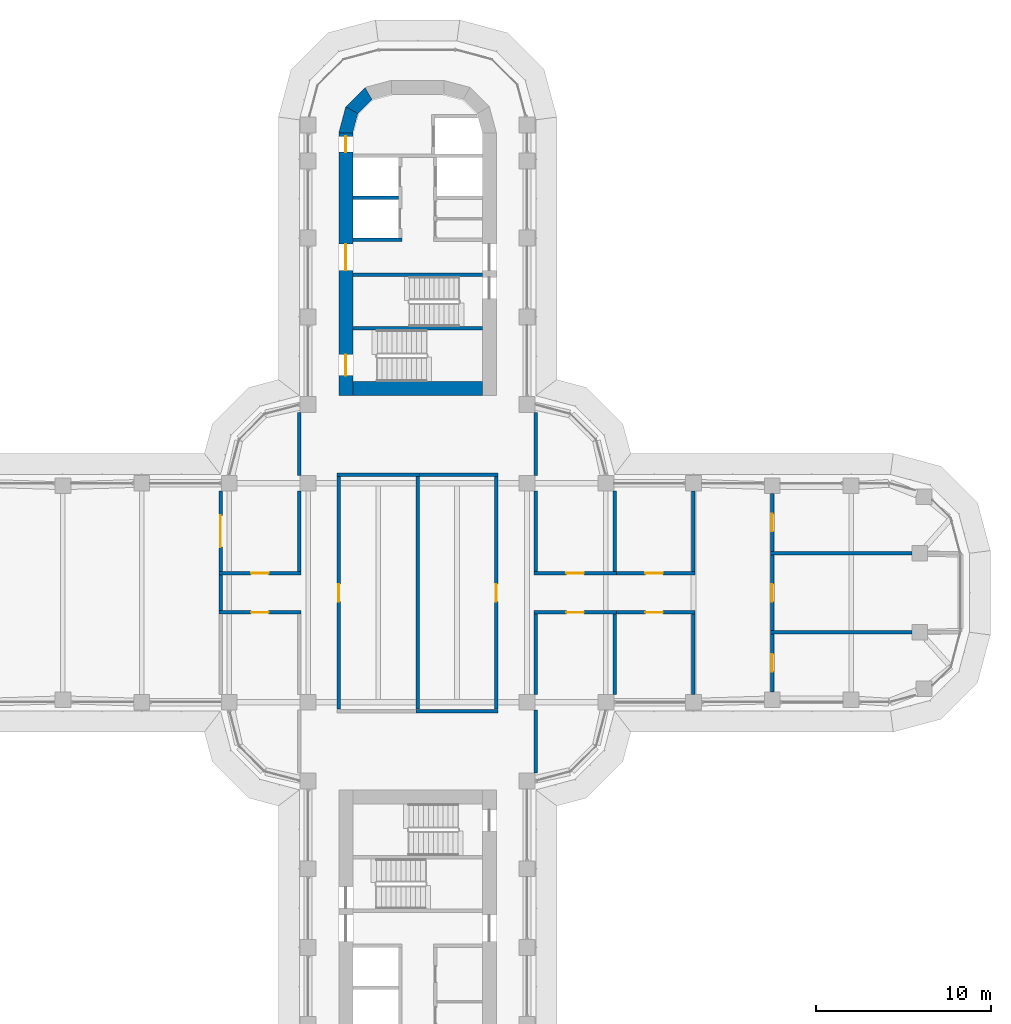
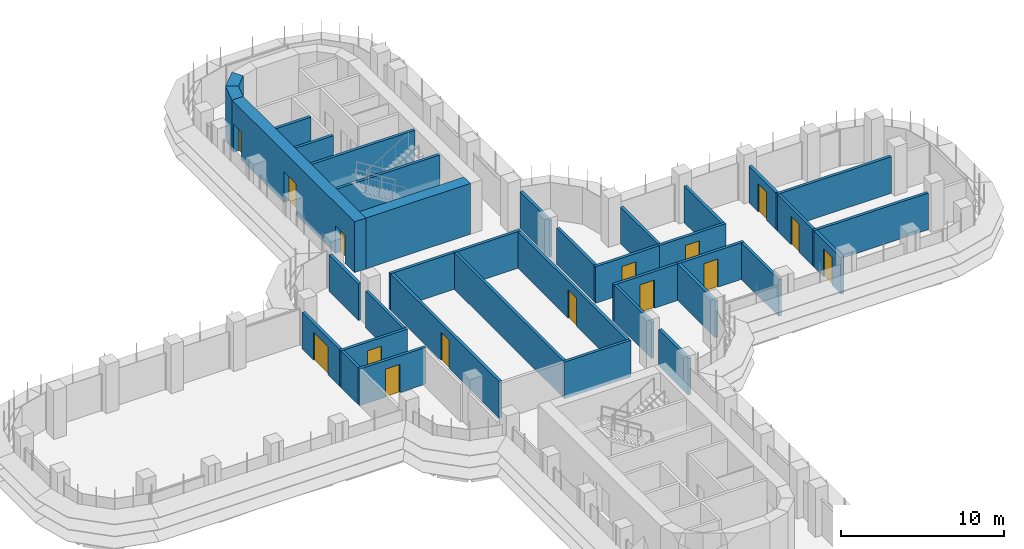
# One storey, part 16 of 21: 37 walls, 15 doors, 15 openings.
"""IFC4 building model written with IfcOpenShell, lengths in metres."""

from ifc_helpers import new_model, si_unit, direction, frame, frame_2d, origin, place, context, subcontext, project, spatial, polyline, rectangle, outline, extrude, material, layer, layer_set, type_object, element, fill, save


model = new_model("IFC4")

# Units and contexts
model_context = context("Model", 3, precision=1e-05, world=origin(), true_north=direction((0.0, 1.0)))
body_context = subcontext(model_context, "Body", "Model", "MODEL_VIEW")
ifc_project = project(units=[si_unit("LENGTHUNIT", "METRE"), si_unit("AREAUNIT", "SQUARE_METRE"), si_unit("VOLUMEUNIT", "CUBIC_METRE"), si_unit("PLANEANGLEUNIT", "RADIAN"), si_unit("MASSUNIT", "GRAM", prefix="KILO")], contexts=[model_context])

# Site, building, storey
site_placement = place(None, origin())
site = spatial("IfcSite", under=ifc_project, at=site_placement, CompositionType="ELEMENT")
building_placement = place(site_placement, origin())
building = spatial("IfcBuilding", under=site, at=building_placement, Name="Zarbagh Exchange Tower", CompositionType="ELEMENT")
storey_placement = place(building_placement, frame((0.0, 0.0, 128.39990234375)))
storey = spatial("IfcBuildingStorey", under=building, at=storey_placement, Name="L30", CompositionType="ELEMENT", Elevation=128.39990234375)

# Wall, opening, door
ifc_material_1 = material(Name="Fire-rated plasterboard partition")
ifc_layer_1 = layer(ifc_material_1, 0.199951171875)
ifc_layer_set_1 = layer_set([ifc_layer_1], Name="RATED PARTITION 200")
wall_type_1 = type_object("IfcWallType", Name="RATED PARTITION 200", PredefinedType="PARTITIONING", material=ifc_layer_set_1)
wall_1_placement = place(storey_placement, frame((-4.5, 6.64990234375, 0.0), z_axis=(0.0, 0.0, 1.0), x_axis=(0.0, -1.0, 0.0)))
wall_1 = element("IfcWall", 1, at=wall_1_placement, inside=storey, type_object=wall_type_1, Name="Partition W-1201", PredefinedType="PARTITIONING", context=body_context, shape_type="SweptSolid", body=[
    extrude(rectangle(XDim=13.2998046875, YDim=0.199951171875, at=frame_2d((6.64990234375, 0.0))), origin(), (0.0, 0.0, 1.0), 2.73828125),
])
opening_1_placement = place(wall_1_placement, frame((6.14990234375, 0.0, 0.0)))
opening_1 = element("IfcOpeningElement", 2, at=opening_1_placement, cuts=wall_1, Name="Opening D-1202", PredefinedType="OPENING", context=body_context, shape_type="SweptSolid", body=[
    extrude(rectangle(XDim=1.0, YDim=2.10009765625, at=frame_2d((0.5, 1.050048828125))), frame((0.0, 0.10986328125, 0.0), z_axis=(0.0, -1.0, 0.0), x_axis=(1.0, 0.0, 0.0)), (0.0, 0.0, 1.0), 0.219970703125),
])
ifc_material_2 = material(Name="Steel door set", Category="steel")
door_type_1 = type_object("IfcDoorType", Name="FIRE DOOR 1000 X 2100 FD30S", OperationType="NOTDEFINED", PredefinedType="DOOR", material=ifc_material_2)
door_1_placement = place(opening_1_placement, origin())
door_1 = element("IfcDoor", 3, at=door_1_placement, inside=storey, type_object=door_type_1, Name="Door D-1202", OperationType="SINGLE_SWING_RIGHT", OverallHeight=2.10009765625, OverallWidth=1.0, PredefinedType="DOOR", context=body_context, shape_type="SweptSolid", body=[
    extrude(rectangle(XDim=1.0, YDim=2.10009765625, at=frame_2d((0.5, 1.050048828125))), frame((0.0, 0.02490234375, 0.0), z_axis=(0.0, -1.0, 0.0), x_axis=(1.0, 0.0, 0.0)), (0.0, 0.0, 1.0), 0.050048828125),
])
fill(opening_1, door_1)

# Walls
wall_2_placement = place(storey_placement, frame((-6.75, 1.22509765625, 0.0), z_axis=(0.0, 0.0, 1.0), x_axis=(0.0, 1.0, 0.0)))
element("IfcWall", 4, at=wall_2_placement, inside=storey, type_object=wall_type_1, Name="Partition W-1202", PredefinedType="PARTITIONING", context=body_context, shape_type="SweptSolid", body=[
    extrude(rectangle(XDim=4.574951171875, YDim=0.199951171875, at=frame_2d((2.28759765625, 0.0))), origin(), (0.0, 0.0, 1.0), 2.73828125),
])
wall_3_placement = place(storey_placement, frame((-6.75, 6.699951171875, 0.0), z_axis=(0.0, 0.0, 1.0), x_axis=(0.0, 1.0, 0.0)))
element("IfcWall", 5, at=wall_3_placement, inside=storey, type_object=wall_type_1, Name="Partition W-1203", PredefinedType="PARTITIONING", context=body_context, shape_type="SweptSolid", body=[
    extrude(rectangle(XDim=3.60009765625, YDim=0.199951171875, at=frame_2d((1.800048828125, 0.0))), origin(), (0.0, 0.0, 1.0), 2.73828125),
])

# Wall, opening, door
wall_4_placement = place(storey_placement, frame((4.5, -6.64990234375, 0.0), z_axis=(0.0, 0.0, 1.0), x_axis=(0.0, 1.0, 0.0)))
wall_4 = element("IfcWall", 6, at=wall_4_placement, inside=storey, type_object=wall_type_1, Name="Partition W-1206", PredefinedType="PARTITIONING", context=body_context, shape_type="SweptSolid", body=[
    extrude(rectangle(XDim=13.2998046875, YDim=0.199951171875, at=frame_2d((6.64990234375, 0.0))), origin(), (0.0, 0.0, 1.0), 2.73828125),
])
opening_2_placement = place(wall_4_placement, frame((6.14990234375, 0.0, 0.0)))
opening_2 = element("IfcOpeningElement", 7, at=opening_2_placement, cuts=wall_4, Name="Opening D-1201", PredefinedType="OPENING", context=body_context, shape_type="SweptSolid", body=[
    extrude(rectangle(XDim=1.0, YDim=2.10009765625, at=frame_2d((0.5, 1.050048828125))), frame((0.0, 0.10986328125, 0.0), z_axis=(0.0, -1.0, 0.0), x_axis=(1.0, 0.0, 0.0)), (0.0, 0.0, 1.0), 0.219970703125),
])
door_2_placement = place(opening_2_placement, origin())
door_2 = element("IfcDoor", 8, at=door_2_placement, inside=storey, type_object=door_type_1, Name="Door D-1201", OperationType="SINGLE_SWING_RIGHT", OverallHeight=2.10009765625, OverallWidth=1.0, PredefinedType="DOOR", context=body_context, shape_type="SweptSolid", body=[
    extrude(rectangle(XDim=1.0, YDim=2.10009765625, at=frame_2d((0.5, 1.050048828125))), frame((0.0, 0.02490234375, 0.0), z_axis=(0.0, -1.0, 0.0), x_axis=(1.0, 0.0, 0.0)), (0.0, 0.0, 1.0), 0.050048828125),
])
fill(opening_2, door_2)

# Walls
wall_5_placement = place(storey_placement, frame((6.75, 1.22509765625, 0.0), z_axis=(0.0, 0.0, 1.0), x_axis=(0.0, 1.0, 0.0)))
element("IfcWall", 9, at=wall_5_placement, inside=storey, type_object=wall_type_1, Name="Partition W-1207", PredefinedType="PARTITIONING", context=body_context, shape_type="SweptSolid", body=[
    extrude(rectangle(XDim=4.574951171875, YDim=0.199951171875, at=frame_2d((2.28759765625, 0.0))), origin(), (0.0, 0.0, 1.0), 2.73828125),
])
for number, where, z_axis, x_axis, name in (
    (10, (6.75, 6.699951171875, 0.0), (0.0, 0.0, 1.0), (0.0, 1.0, 0.0), "Partition W-1208"),
    (11, (6.75, -10.300048828125, 0.0), (0.0, 0.0, 1.0), (0.0, 1.0, 0.0), "Partition W-1209"),
):
    element("IfcWall", number, at=place(storey_placement, frame(where, z_axis=z_axis, x_axis=x_axis)), inside=storey, type_object=wall_type_1, Name=name, PredefinedType="PARTITIONING", context=body_context, shape_type="SweptSolid", body=[
        extrude(rectangle(XDim=3.60009765625, YDim=0.199951171875, at=frame_2d((1.800048828125, 0.0))), origin(), (0.0, 0.0, 1.0), 2.73828125),
    ])
wall_6_placement = place(storey_placement, frame((6.75, -5.800048828125, 0.0), z_axis=(0.0, 0.0, 1.0), x_axis=(0.0, 1.0, 0.0)))
element("IfcWall", 12, at=wall_6_placement, inside=storey, type_object=wall_type_1, Name="Partition W-1210", PredefinedType="PARTITIONING", context=body_context, shape_type="SweptSolid", body=[
    extrude(rectangle(XDim=4.574951171875, YDim=0.199951171875, at=frame_2d((2.28759765625, 0.0))), origin(), (0.0, 0.0, 1.0), 2.73828125),
])
for number, where, z_axis, x_axis, name in (
    (13, (-4.60009765625, 6.75, 0.0), (0.0, 0.0, 1.0), (1.0, 0.0, 0.0), "Partition W-1211"),
    (14, (-0.10009765625, 6.75, 0.0), (0.0, 0.0, 1.0), (1.0, 0.0, 0.0), "Partition W-1212"),
    (15, (-0.10009765625, -6.75, 0.0), (0.0, 0.0, 1.0), (1.0, 0.0, 0.0), "Partition W-1214"),
):
    element("IfcWall", number, at=place(storey_placement, frame(where, z_axis=z_axis, x_axis=x_axis)), inside=storey, type_object=wall_type_1, Name=name, PredefinedType="PARTITIONING", context=body_context, shape_type="SweptSolid", body=[
        extrude(rectangle(XDim=4.7001953125, YDim=0.199951171875, at=frame_2d((2.35009765625, 0.0))), origin(), (0.0, 0.0, 1.0), 2.73828125),
    ])
wall_7_placement = place(storey_placement, frame((0.0, -6.64990234375, 0.0), z_axis=(0.0, 0.0, 1.0), x_axis=(0.0, 1.0, 0.0)))
element("IfcWall", 16, at=wall_7_placement, inside=storey, type_object=wall_type_1, Name="Partition W-1215", PredefinedType="PARTITIONING", context=body_context, shape_type="SweptSolid", body=[
    extrude(rectangle(XDim=13.2998046875, YDim=0.199951171875, at=frame_2d((6.64990234375, 0.0))), origin(), (0.0, 0.0, 1.0), 2.73828125),
])

# Wall, opening, door
wall_8_placement = place(storey_placement, frame((6.64990234375, 1.125, 0.0), z_axis=(0.0, 0.0, 1.0), x_axis=(1.0, 0.0, 0.0)))
wall_8 = element("IfcWall", 17, at=wall_8_placement, inside=storey, type_object=wall_type_1, Name="Partition W-1216", PredefinedType="PARTITIONING", context=body_context, shape_type="SweptSolid", body=[
    extrude(rectangle(XDim=4.7001953125, YDim=0.199951171875, at=frame_2d((2.35009765625, 0.0))), origin(), (0.0, 0.0, 1.0), 2.73828125),
])
opening_3_placement = place(wall_8_placement, frame((1.85009765625, 0.0, 0.0)))
opening_3 = element("IfcOpeningElement", 18, at=opening_3_placement, cuts=wall_8, Name="Opening D-1203", PredefinedType="OPENING", context=body_context, shape_type="SweptSolid", body=[
    extrude(rectangle(XDim=1.0, YDim=2.10009765625, at=frame_2d((0.5, 1.050048828125))), frame((0.0, 0.10986328125, 0.0), z_axis=(0.0, -1.0, 0.0), x_axis=(1.0, 0.0, 0.0)), (0.0, 0.0, 1.0), 0.219970703125),
])
door_3_placement = place(opening_3_placement, origin())
door_3 = element("IfcDoor", 19, at=door_3_placement, inside=storey, type_object=door_type_1, Name="Door D-1203", OperationType="SINGLE_SWING_RIGHT", OverallHeight=2.10009765625, OverallWidth=1.0, PredefinedType="DOOR", context=body_context, shape_type="SweptSolid", body=[
    extrude(rectangle(XDim=1.0, YDim=2.10009765625, at=frame_2d((0.5, 1.050048828125))), frame((0.0, 0.02490234375, 0.0), z_axis=(0.0, -1.0, 0.0), x_axis=(1.0, 0.0, 0.0)), (0.0, 0.0, 1.0), 0.050048828125),
])
fill(opening_3, door_3)

wall_9_placement = place(storey_placement, frame((11.35009765625, -1.125, 0.0), z_axis=(0.0, 0.0, 1.0), x_axis=(-1.0, 0.0, 0.0)))
wall_9 = element("IfcWall", 20, at=wall_9_placement, inside=storey, type_object=wall_type_1, Name="Partition W-1217", PredefinedType="PARTITIONING", context=body_context, shape_type="SweptSolid", body=[
    extrude(rectangle(XDim=4.7001953125, YDim=0.199951171875, at=frame_2d((2.35009765625, 0.0))), origin(), (0.0, 0.0, 1.0), 2.73828125),
])
opening_4_placement = place(wall_9_placement, frame((1.85009765625, 0.0, 0.0)))
opening_4 = element("IfcOpeningElement", 21, at=opening_4_placement, cuts=wall_9, Name="Opening D-1205", PredefinedType="OPENING", context=body_context, shape_type="SweptSolid", body=[
    extrude(rectangle(XDim=1.0, YDim=2.10009765625, at=frame_2d((0.5, 1.050048828125))), frame((0.0, 0.10986328125, 0.0), z_axis=(0.0, -1.0, 0.0), x_axis=(1.0, 0.0, 0.0)), (0.0, 0.0, 1.0), 0.219970703125),
])
door_4_placement = place(opening_4_placement, origin())
door_4 = element("IfcDoor", 22, at=door_4_placement, inside=storey, type_object=door_type_1, Name="Door D-1205", OperationType="SINGLE_SWING_RIGHT", OverallHeight=2.10009765625, OverallWidth=1.0, PredefinedType="DOOR", context=body_context, shape_type="SweptSolid", body=[
    extrude(rectangle(XDim=1.0, YDim=2.10009765625, at=frame_2d((0.5, 1.050048828125))), frame((0.0, 0.02490234375, 0.0), z_axis=(0.0, -1.0, 0.0), x_axis=(1.0, 0.0, 0.0)), (0.0, 0.0, 1.0), 0.050048828125),
])
fill(opening_4, door_4)

wall_10_placement = place(storey_placement, frame((11.14990234375, 1.125, 0.0), z_axis=(0.0, 0.0, 1.0), x_axis=(1.0, 0.0, 0.0)))
wall_10 = element("IfcWall", 23, at=wall_10_placement, inside=storey, type_object=wall_type_1, Name="Partition W-1218", PredefinedType="PARTITIONING", context=body_context, shape_type="SweptSolid", body=[
    extrude(rectangle(XDim=4.7001953125, YDim=0.199951171875, at=frame_2d((2.35009765625, 0.0))), origin(), (0.0, 0.0, 1.0), 2.73828125),
])
opening_5_placement = place(wall_10_placement, frame((1.85009765625, 0.0, 0.0)))
opening_5 = element("IfcOpeningElement", 24, at=opening_5_placement, cuts=wall_10, Name="Opening D-1204", PredefinedType="OPENING", context=body_context, shape_type="SweptSolid", body=[
    extrude(rectangle(XDim=1.0, YDim=2.10009765625, at=frame_2d((0.5, 1.050048828125))), frame((0.0, 0.10986328125, 0.0), z_axis=(0.0, -1.0, 0.0), x_axis=(1.0, 0.0, 0.0)), (0.0, 0.0, 1.0), 0.219970703125),
])
door_5_placement = place(opening_5_placement, origin())
door_5 = element("IfcDoor", 25, at=door_5_placement, inside=storey, type_object=door_type_1, Name="Door D-1204", OperationType="SINGLE_SWING_RIGHT", OverallHeight=2.10009765625, OverallWidth=1.0, PredefinedType="DOOR", context=body_context, shape_type="SweptSolid", body=[
    extrude(rectangle(XDim=1.0, YDim=2.10009765625, at=frame_2d((0.5, 1.050048828125))), frame((0.0, 0.02490234375, 0.0), z_axis=(0.0, -1.0, 0.0), x_axis=(1.0, 0.0, 0.0)), (0.0, 0.0, 1.0), 0.050048828125),
])
fill(opening_5, door_5)

wall_11_placement = place(storey_placement, frame((15.85009765625, -1.125, 0.0), z_axis=(0.0, 0.0, 1.0), x_axis=(-1.0, 0.0, 0.0)))
wall_11 = element("IfcWall", 26, at=wall_11_placement, inside=storey, type_object=wall_type_1, Name="Partition W-1219", PredefinedType="PARTITIONING", context=body_context, shape_type="SweptSolid", body=[
    extrude(rectangle(XDim=4.7001953125, YDim=0.199951171875, at=frame_2d((2.35009765625, 0.0))), origin(), (0.0, 0.0, 1.0), 2.73828125),
])
opening_6_placement = place(wall_11_placement, frame((1.85009765625, 0.0, 0.0)))
opening_6 = element("IfcOpeningElement", 27, at=opening_6_placement, cuts=wall_11, Name="Opening D-1206", PredefinedType="OPENING", context=body_context, shape_type="SweptSolid", body=[
    extrude(rectangle(XDim=1.0, YDim=2.10009765625, at=frame_2d((0.5, 1.050048828125))), frame((0.0, 0.10986328125, 0.0), z_axis=(0.0, -1.0, 0.0), x_axis=(1.0, 0.0, 0.0)), (0.0, 0.0, 1.0), 0.219970703125),
])
door_6_placement = place(opening_6_placement, origin())
door_6 = element("IfcDoor", 28, at=door_6_placement, inside=storey, type_object=door_type_1, Name="Door D-1206", OperationType="SINGLE_SWING_RIGHT", OverallHeight=2.10009765625, OverallWidth=1.0, PredefinedType="DOOR", context=body_context, shape_type="SweptSolid", body=[
    extrude(rectangle(XDim=1.0, YDim=2.10009765625, at=frame_2d((0.5, 1.050048828125))), frame((0.0, 0.02490234375, 0.0), z_axis=(0.0, -1.0, 0.0), x_axis=(1.0, 0.0, 0.0)), (0.0, 0.0, 1.0), 0.050048828125),
])
fill(opening_6, door_6)

# Walls
for number, where, z_axis, x_axis, name in (
    (29, (11.25, 1.22509765625, 0.0), (0.0, 0.0, 1.0), (0.0, 1.0, 0.0), "Partition W-1220"),
    (30, (11.25, -5.800048828125, 0.0), (0.0, 0.0, 1.0), (0.0, 1.0, 0.0), "Partition W-1221"),
    (31, (15.75, 1.22509765625, 0.0), (0.0, 0.0, 1.0), (0.0, 1.0, 0.0), "Partition W-1222"),
    (32, (15.75, -5.800048828125, 0.0), (0.0, 0.0, 1.0), (0.0, 1.0, 0.0), "Partition W-1223"),
):
    element("IfcWall", number, at=place(storey_placement, frame(where, z_axis=z_axis, x_axis=x_axis)), inside=storey, type_object=wall_type_1, Name=name, PredefinedType="PARTITIONING", context=body_context, shape_type="SweptSolid", body=[
        extrude(rectangle(XDim=4.574951171875, YDim=0.199951171875, at=frame_2d((2.28759765625, 0.0))), origin(), (0.0, 0.0, 1.0), 2.73828125),
    ])

# Wall, opening, door
wall_12_placement = place(storey_placement, frame((20.25, -2.35009765625, 0.0), z_axis=(0.0, 0.0, 1.0), x_axis=(0.0, -1.0, 0.0)))
wall_12 = element("IfcWall", 33, at=wall_12_placement, inside=storey, type_object=wall_type_1, Name="Partition W-1224", PredefinedType="PARTITIONING", context=body_context, shape_type="SweptSolid", body=[
    extrude(rectangle(XDim=3.309814453125, YDim=0.199951171875, at=frame_2d((1.65478515625, 0.0))), origin(), (0.0, 0.0, 1.0), 2.73828125),
])
opening_7_placement = place(wall_12_placement, frame((1.155029296875, 0.0, 0.0)))
opening_7 = element("IfcOpeningElement", 34, at=opening_7_placement, cuts=wall_12, Name="Opening D-1207", PredefinedType="OPENING", context=body_context, shape_type="SweptSolid", body=[
    extrude(rectangle(XDim=1.0, YDim=2.10009765625, at=frame_2d((0.5, 1.050048828125))), frame((0.0, 0.10986328125, 0.0), z_axis=(0.0, -1.0, 0.0), x_axis=(1.0, 0.0, 0.0)), (0.0, 0.0, 1.0), 0.219970703125),
])
door_7_placement = place(opening_7_placement, origin())
door_7 = element("IfcDoor", 35, at=door_7_placement, inside=storey, type_object=door_type_1, Name="Door D-1207", OperationType="SINGLE_SWING_LEFT", OverallHeight=2.10009765625, OverallWidth=1.0, PredefinedType="DOOR", context=body_context, shape_type="SweptSolid", body=[
    extrude(rectangle(XDim=1.0, YDim=2.10009765625, at=frame_2d((0.5, 1.050048828125))), frame((0.0, 0.02490234375, 0.0), z_axis=(0.0, -1.0, 0.0), x_axis=(1.0, 0.0, 0.0)), (0.0, 0.0, 1.0), 0.050048828125),
])
fill(opening_7, door_7)

wall_13_placement = place(storey_placement, frame((20.25, 2.14990234375, 0.0), z_axis=(0.0, 0.0, 1.0), x_axis=(0.0, -1.0, 0.0)))
wall_13 = element("IfcWall", 36, at=wall_13_placement, inside=storey, type_object=wall_type_1, Name="Partition W-1225", PredefinedType="PARTITIONING", context=body_context, shape_type="SweptSolid", body=[
    extrude(rectangle(XDim=4.2998046875, YDim=0.199951171875, at=frame_2d((2.14990234375, 0.0))), origin(), (0.0, 0.0, 1.0), 2.73828125),
])
opening_8_placement = place(wall_13_placement, frame((1.64990234375, 0.0, 0.0)))
opening_8 = element("IfcOpeningElement", 37, at=opening_8_placement, cuts=wall_13, Name="Opening D-1208", PredefinedType="OPENING", context=body_context, shape_type="SweptSolid", body=[
    extrude(rectangle(XDim=1.0, YDim=2.10009765625, at=frame_2d((0.5, 1.050048828125))), frame((0.0, 0.10986328125, 0.0), z_axis=(0.0, -1.0, 0.0), x_axis=(1.0, 0.0, 0.0)), (0.0, 0.0, 1.0), 0.219970703125),
])
door_8_placement = place(opening_8_placement, origin())
door_8 = element("IfcDoor", 38, at=door_8_placement, inside=storey, type_object=door_type_1, Name="Door D-1208", OperationType="SINGLE_SWING_RIGHT", OverallHeight=2.10009765625, OverallWidth=1.0, PredefinedType="DOOR", context=body_context, shape_type="SweptSolid", body=[
    extrude(rectangle(XDim=1.0, YDim=2.10009765625, at=frame_2d((0.5, 1.050048828125))), frame((0.0, 0.02490234375, 0.0), z_axis=(0.0, -1.0, 0.0), x_axis=(1.0, 0.0, 0.0)), (0.0, 0.0, 1.0), 0.050048828125),
])
fill(opening_8, door_8)

wall_14_placement = place(storey_placement, frame((20.25, 5.659912109375, 0.0), z_axis=(0.0, 0.0, 1.0), x_axis=(0.0, -1.0, 0.0)))
wall_14 = element("IfcWall", 39, at=wall_14_placement, inside=storey, type_object=wall_type_1, Name="Partition W-1226", PredefinedType="PARTITIONING", context=body_context, shape_type="SweptSolid", body=[
    extrude(rectangle(XDim=3.309814453125, YDim=0.199951171875, at=frame_2d((1.65478515625, 0.0))), origin(), (0.0, 0.0, 1.0), 2.73828125),
])
opening_9_placement = place(wall_14_placement, frame((1.155029296875, 0.0, 0.0)))
opening_9 = element("IfcOpeningElement", 40, at=opening_9_placement, cuts=wall_14, Name="Opening D-1209", PredefinedType="OPENING", context=body_context, shape_type="SweptSolid", body=[
    extrude(rectangle(XDim=1.0, YDim=2.10009765625, at=frame_2d((0.5, 1.050048828125))), frame((0.0, 0.10986328125, 0.0), z_axis=(0.0, -1.0, 0.0), x_axis=(1.0, 0.0, 0.0)), (0.0, 0.0, 1.0), 0.219970703125),
])
door_9_placement = place(opening_9_placement, origin())
door_9 = element("IfcDoor", 41, at=door_9_placement, inside=storey, type_object=door_type_1, Name="Door D-1209", OperationType="SINGLE_SWING_RIGHT", OverallHeight=2.10009765625, OverallWidth=1.0, PredefinedType="DOOR", context=body_context, shape_type="SweptSolid", body=[
    extrude(rectangle(XDim=1.0, YDim=2.10009765625, at=frame_2d((0.5, 1.050048828125))), frame((0.0, 0.02490234375, 0.0), z_axis=(0.0, -1.0, 0.0), x_axis=(1.0, 0.0, 0.0)), (0.0, 0.0, 1.0), 0.050048828125),
])
fill(opening_9, door_9)

# Walls
for number, where, z_axis, x_axis, name in (
    (42, (20.14990234375, -2.25, 0.0), (0.0, 0.0, 1.0), (1.0, 0.0, 0.0), "Partition W-1227"),
    (43, (20.14990234375, 2.25, 0.0), (0.0, 0.0, 1.0), (1.0, 0.0, 0.0), "Partition W-1229"),
):
    element("IfcWall", number, at=place(storey_placement, frame(where, z_axis=z_axis, x_axis=x_axis)), inside=storey, type_object=wall_type_1, Name=name, PredefinedType="PARTITIONING", context=body_context, shape_type="SweptSolid", body=[
        extrude(rectangle(XDim=8.070068359375, YDim=0.199951171875, at=frame_2d((4.03515625, 0.0))), origin(), (0.0, 0.0, 1.0), 2.73828125),
    ])

# Wall, opening, door
wall_15_placement = place(storey_placement, frame((-11.35009765625, 1.125, 0.0), z_axis=(0.0, 0.0, 1.0), x_axis=(1.0, 0.0, 0.0)))
wall_15 = element("IfcWall", 44, at=wall_15_placement, inside=storey, type_object=wall_type_1, Name="Partition W-1231", PredefinedType="PARTITIONING", context=body_context, shape_type="SweptSolid", body=[
    extrude(rectangle(XDim=4.7001953125, YDim=0.199951171875, at=frame_2d((2.35009765625, 0.0))), origin(), (0.0, 0.0, 1.0), 2.73828125),
])
opening_10_placement = place(wall_15_placement, frame((1.85009765625, 0.0, 0.0)))
opening_10 = element("IfcOpeningElement", 45, at=opening_10_placement, cuts=wall_15, Name="Opening D-1211", PredefinedType="OPENING", context=body_context, shape_type="SweptSolid", body=[
    extrude(rectangle(XDim=1.0, YDim=2.10009765625, at=frame_2d((0.5, 1.050048828125))), frame((0.0, 0.10986328125, 0.0), z_axis=(0.0, -1.0, 0.0), x_axis=(1.0, 0.0, 0.0)), (0.0, 0.0, 1.0), 0.219970703125),
])
door_10_placement = place(opening_10_placement, origin())
door_10 = element("IfcDoor", 46, at=door_10_placement, inside=storey, type_object=door_type_1, Name="Door D-1211", OperationType="SINGLE_SWING_RIGHT", OverallHeight=2.10009765625, OverallWidth=1.0, PredefinedType="DOOR", context=body_context, shape_type="SweptSolid", body=[
    extrude(rectangle(XDim=1.0, YDim=2.10009765625, at=frame_2d((0.5, 1.050048828125))), frame((0.0, 0.02490234375, 0.0), z_axis=(0.0, -1.0, 0.0), x_axis=(1.0, 0.0, 0.0)), (0.0, 0.0, 1.0), 0.050048828125),
])
fill(opening_10, door_10)

wall_16_placement = place(storey_placement, frame((-6.64990234375, -1.125, 0.0), z_axis=(0.0, 0.0, 1.0), x_axis=(-1.0, 0.0, 0.0)))
wall_16 = element("IfcWall", 47, at=wall_16_placement, inside=storey, type_object=wall_type_1, Name="Partition W-1232", PredefinedType="PARTITIONING", context=body_context, shape_type="SweptSolid", body=[
    extrude(rectangle(XDim=4.7001953125, YDim=0.199951171875, at=frame_2d((2.35009765625, 0.0))), origin(), (0.0, 0.0, 1.0), 2.73828125),
])
opening_11_placement = place(wall_16_placement, frame((1.85009765625, 0.0, 0.0)))
opening_11 = element("IfcOpeningElement", 48, at=opening_11_placement, cuts=wall_16, Name="Opening D-1212", PredefinedType="OPENING", context=body_context, shape_type="SweptSolid", body=[
    extrude(rectangle(XDim=1.0, YDim=2.10009765625, at=frame_2d((0.5, 1.050048828125))), frame((0.0, 0.10986328125, 0.0), z_axis=(0.0, -1.0, 0.0), x_axis=(1.0, 0.0, 0.0)), (0.0, 0.0, 1.0), 0.219970703125),
])
door_11_placement = place(opening_11_placement, origin())
door_11 = element("IfcDoor", 49, at=door_11_placement, inside=storey, type_object=door_type_1, Name="Door D-1212", OperationType="SINGLE_SWING_RIGHT", OverallHeight=2.10009765625, OverallWidth=1.0, PredefinedType="DOOR", context=body_context, shape_type="SweptSolid", body=[
    extrude(rectangle(XDim=1.0, YDim=2.10009765625, at=frame_2d((0.5, 1.050048828125))), frame((0.0, 0.02490234375, 0.0), z_axis=(0.0, -1.0, 0.0), x_axis=(1.0, 0.0, 0.0)), (0.0, 0.0, 1.0), 0.050048828125),
])
fill(opening_11, door_11)

# Wall
wall_17_placement = place(storey_placement, frame((-11.25, -1.02490234375, 0.0), z_axis=(0.0, 0.0, 1.0), x_axis=(0.0, 1.0, 0.0)))
element("IfcWall", 50, at=wall_17_placement, inside=storey, type_object=wall_type_1, Name="Partition W-1233", PredefinedType="PARTITIONING", context=body_context, shape_type="SweptSolid", body=[
    extrude(rectangle(XDim=2.0498046875, YDim=0.199951171875, at=frame_2d((1.02490234375, 0.0))), origin(), (0.0, 0.0, 1.0), 2.73828125),
])

# Wall, opening, door
wall_18_placement = place(storey_placement, frame((-11.25, 1.22509765625, 0.0), z_axis=(0.0, 0.0, 1.0), x_axis=(0.0, 1.0, 0.0)))
wall_18 = element("IfcWall", 51, at=wall_18_placement, inside=storey, type_object=wall_type_1, Name="Partition W-1234", PredefinedType="PARTITIONING", context=body_context, shape_type="SweptSolid", body=[
    extrude(rectangle(XDim=4.574951171875, YDim=0.199951171875, at=frame_2d((2.28759765625, 0.0))), origin(), (0.0, 0.0, 1.0), 2.73828125),
])
opening_12_placement = place(wall_18_placement, frame((1.387451171875, 0.0, 0.0)))
opening_12 = element("IfcOpeningElement", 52, at=opening_12_placement, cuts=wall_18, Name="Opening D-1210", PredefinedType="OPENING", context=body_context, shape_type="SweptSolid", body=[
    extrude(rectangle(XDim=1.800048828125, YDim=2.10009765625, at=frame_2d((0.89990234375, 1.050048828125))), frame((0.0, 0.10986328125, 0.0), z_axis=(0.0, -1.0, 0.0), x_axis=(1.0, 0.0, 0.0)), (0.0, 0.0, 1.0), 0.219970703125),
])
door_type_2 = type_object("IfcDoorType", Name="FIRE DOUBLE DOOR 1800 X 2100 FD30S", OperationType="DOUBLE_DOOR_SINGLE_SWING", PredefinedType="DOOR", material=ifc_material_2)
door_12_placement = place(opening_12_placement, origin())
door_12 = element("IfcDoor", 53, at=door_12_placement, inside=storey, type_object=door_type_2, Name="Door D-1210", OperationType="DOUBLE_DOOR_SINGLE_SWING", OverallHeight=2.10009765625, OverallWidth=1.800048828125, PredefinedType="DOOR", context=body_context, shape_type="SweptSolid", body=[
    extrude(rectangle(XDim=1.800048828125, YDim=2.10009765625, at=frame_2d((0.89990234375, 1.050048828125))), frame((0.0, 0.02490234375, 0.0), z_axis=(0.0, -1.0, 0.0), x_axis=(1.0, 0.0, 0.0)), (0.0, 0.0, 1.0), 0.050048828125),
])
fill(opening_12, door_12)

# Walls
ifc_material_3 = material(Name="Concrete C60/75", Category="concrete")
ifc_layer_2 = layer(ifc_material_3, 0.800048828125)
ifc_layer_set_2 = layer_set([ifc_layer_2], Name="RC core corner wall 800 C60/75")
wall_type_2 = type_object("IfcWallType", Name="RC core corner wall 800 C60/75", PredefinedType="SHEAR", material=ifc_layer_set_2)
wall_19_placement = place(storey_placement, origin())
element("IfcWall", 54, at=wall_19_placement, inside=storey, type_object=wall_type_2, Name="CW4 core N corner W", PredefinedType="SHEAR", context=body_context, shape_type="SweptSolid", body=[
    extrude(outline(polyline([(-4.5, 26.25), (-4.09814453125, 27.75), (-3.4052734375, 27.35009765625), (-3.699951171875, 26.25), (-4.5, 26.25)])), origin(), (0.0, 0.0, 1.0), 3.800048828125),
])
wall_20_placement = place(storey_placement, origin())
element("IfcWall", 55, at=wall_20_placement, inside=storey, type_object=wall_type_2, Name="CW4 core N corner W", PredefinedType="SHEAR", context=body_context, shape_type="SweptSolid", body=[
    extrude(outline(polyline([(-4.09814453125, 27.75), (-3.0, 28.84814453125), (-2.60009765625, 28.1552734375), (-3.4052734375, 27.35009765625), (-4.09814453125, 27.75)])), origin(), (0.0, 0.0, 1.0), 3.800048828125),
])

# Wall, openings, doors
ifc_layer_3 = layer(ifc_material_3, 0.800048828125)
ifc_layer_set_3 = layer_set([ifc_layer_3], Name="RC core wall 800 C60/75")
wall_type_3 = type_object("IfcWallType", Name="RC core wall 800 C60/75", PredefinedType="SHEAR", material=ifc_layer_set_3)
wall_21_placement = place(storey_placement, frame((-4.10009765625, 11.25, 0.0), z_axis=(0.0, 0.0, 1.0), x_axis=(0.0, 1.0, 0.0)))
wall_21 = element("IfcWall", 56, at=wall_21_placement, inside=storey, type_object=wall_type_3, Name="CW3 core N W", PredefinedType="SHEAR", context=body_context, shape_type="SweptSolid", body=[
    extrude(rectangle(XDim=15.0, YDim=0.800048828125, at=frame_2d((7.5, 0.0))), origin(), (0.0, 0.0, 1.0), 3.800048828125),
])
opening_13_placement = place(wall_21_placement, frame((7.14990234375, 0.0, 0.0)))
opening_13 = element("IfcOpeningElement", 57, at=opening_13_placement, cuts=wall_21, Name="Opening CD1-1500", PredefinedType="OPENING", context=body_context, shape_type="SweptSolid", body=[
    extrude(rectangle(XDim=1.5, YDim=2.300048828125, at=frame_2d((0.75, 1.14990234375))), frame((0.0, 0.409912109375, 0.0), z_axis=(0.0, -1.0, 0.0), x_axis=(1.0, 0.0, 0.0)), (0.0, 0.0, 1.0), 0.820068359375),
])
opening_14_placement = place(wall_21_placement, frame((13.89990234375, 0.0, 0.0)))
opening_14 = element("IfcOpeningElement", 58, at=opening_14_placement, cuts=wall_21, Name="Opening CD2-900", PredefinedType="OPENING", context=body_context, shape_type="SweptSolid", body=[
    extrude(rectangle(XDim=0.89990234375, YDim=2.10009765625, at=frame_2d((0.449951171875, 1.050048828125))), frame((0.0, 0.409912109375, 0.0), z_axis=(0.0, -1.0, 0.0), x_axis=(1.0, 0.0, 0.0)), (0.0, 0.0, 1.0), 0.820068359375),
])
opening_15_placement = place(wall_21_placement, frame((1.14990234375, 0.0, 0.0)))
opening_15 = element("IfcOpeningElement", 59, at=opening_15_placement, cuts=wall_21, Name="Opening SD1-1200", PredefinedType="OPENING", context=body_context, shape_type="SweptSolid", body=[
    extrude(rectangle(XDim=1.199951171875, YDim=2.10009765625, at=frame_2d((0.60009765625, 1.050048828125))), frame((0.0, 0.409912109375, 0.0), z_axis=(0.0, -1.0, 0.0), x_axis=(1.0, 0.0, 0.0)), (0.0, 0.0, 1.0), 0.820068359375),
])
ifc_material_4 = material(Name="Steel", Category="steel")
door_type_3 = type_object("IfcDoorType", Name="Exit stair door 1200 x 2100", OperationType="NOTDEFINED", PredefinedType="DOOR", material=ifc_material_4)
door_13_placement = place(opening_15_placement, origin())
door_13 = element("IfcDoor", 60, at=door_13_placement, inside=storey, type_object=door_type_3, Name="North core stair door ST2", OperationType="SINGLE_SWING_LEFT", OverallHeight=2.10009765625, OverallWidth=1.199951171875, PredefinedType="DOOR", context=body_context, shape_type="SweptSolid", body=[
    extrude(rectangle(XDim=1.199951171875, YDim=2.10009765625, at=frame_2d((0.60009765625, 1.050048828125))), frame((0.0, 0.02490234375, 0.0), z_axis=(0.0, -1.0, 0.0), x_axis=(1.0, 0.0, 0.0)), (0.0, 0.0, 1.0), 0.050048828125),
])
fill(opening_15, door_13)
door_type_4 = type_object("IfcDoorType", Name="Firefighting lobby door 900 x 2100", OperationType="NOTDEFINED", PredefinedType="DOOR", material=ifc_material_4)
door_14_placement = place(opening_14_placement, origin())
door_14 = element("IfcDoor", 61, at=door_14_placement, inside=storey, type_object=door_type_4, Name="North core firefighting lobby door FF-W", OperationType="SINGLE_SWING_LEFT", OverallHeight=2.10009765625, OverallWidth=0.89990234375, PredefinedType="DOOR", context=body_context, shape_type="SweptSolid", body=[
    extrude(rectangle(XDim=0.89990234375, YDim=2.10009765625, at=frame_2d((0.449951171875, 1.050048828125))), frame((0.0, 0.02490234375, 0.0), z_axis=(0.0, -1.0, 0.0), x_axis=(1.0, 0.0, 0.0)), (0.0, 0.0, 1.0), 0.050048828125),
])
fill(opening_14, door_14)
door_type_5 = type_object("IfcDoorType", Name="Lift lobby double door 1500 x 2300", OperationType="NOTDEFINED", PredefinedType="DOOR", material=ifc_material_4)
door_15_placement = place(opening_13_placement, origin())
door_15 = element("IfcDoor", 62, at=door_15_placement, inside=storey, type_object=door_type_5, Name="North core lift lobby door LOBBY-W", OperationType="DOUBLE_DOOR_SINGLE_SWING", OverallHeight=2.300048828125, OverallWidth=1.5, PredefinedType="DOOR", context=body_context, shape_type="SweptSolid", body=[
    extrude(rectangle(XDim=1.5, YDim=2.300048828125, at=frame_2d((0.75, 1.14990234375))), frame((0.0, 0.02490234375, 0.0), z_axis=(0.0, -1.0, 0.0), x_axis=(1.0, 0.0, 0.0)), (0.0, 0.0, 1.0), 0.050048828125),
])
fill(opening_13, door_15)

# Walls
wall_22_placement = place(storey_placement, frame((-3.699951171875, 11.64990234375, 0.0), z_axis=(0.0, 0.0, 1.0), x_axis=(1.0, 0.0, 0.0)))
element("IfcWall", 63, at=wall_22_placement, inside=storey, type_object=wall_type_3, Name="CW3 core N inner end", PredefinedType="SHEAR", context=body_context, shape_type="SweptSolid", body=[
    extrude(rectangle(XDim=7.39990234375, YDim=0.800048828125, at=frame_2d((3.699951171875, 0.0))), origin(), (0.0, 0.0, 1.0), 3.800048828125),
])
ifc_material_5 = material(Name="Dense blockwork", Category="masonry")
ifc_layer_4 = layer(ifc_material_5, 0.199951171875)
ifc_layer_set_4 = layer_set([ifc_layer_4], Name="Shaft wall 200 mm blockwork")
wall_type_4 = type_object("IfcWallType", Name="Shaft wall 200 mm blockwork", PredefinedType="PARTITIONING", material=ifc_layer_set_4)
wall_23_placement = place(storey_placement, frame((-3.699951171875, 20.14990234375, 0.0), z_axis=(0.0, 0.0, 1.0), x_axis=(1.0, 0.0, 0.0)))
element("IfcWall", 64, at=wall_23_placement, inside=storey, type_object=wall_type_4, Name="North core shaft wall AB-W", PredefinedType="PARTITIONING", context=body_context, shape_type="SweptSolid", body=[
    extrude(rectangle(XDim=2.800048828125, YDim=0.199951171875, at=frame_2d((1.39990234375, 0.0))), origin(), (0.0, 0.0, 1.0), 3.650146484375),
])
wall_24_placement = place(storey_placement, frame((-3.699951171875, 22.550048828125, 0.0), z_axis=(0.0, 0.0, 1.0), x_axis=(1.0, 0.0, 0.0)))
element("IfcWall", 65, at=wall_24_placement, inside=storey, type_object=wall_type_4, Name="North core shaft wall TR-W", PredefinedType="PARTITIONING", context=body_context, shape_type="SweptSolid", body=[
    extrude(rectangle(XDim=2.599853515625, YDim=0.199951171875, at=frame_2d((1.2998046875, 0.0))), origin(), (0.0, 0.0, 1.0), 3.650146484375),
])
ifc_material_6 = material(Name="Concrete C40/50", Category="concrete")
ifc_layer_5 = layer(ifc_material_6, 0.199951171875)
ifc_layer_set_5 = layer_set([ifc_layer_5], Name="Stair enclosure wall 200 mm RC C40/50")
wall_type_5 = type_object("IfcWallType", Name="Stair enclosure wall 200 mm RC C40/50", PredefinedType="SHEAR", material=ifc_layer_set_5)
for number, where, z_axis, x_axis, name in (
    (66, (-3.699951171875, 18.14990234375, 0.0), (0.0, 0.0, 1.0), (1.0, 0.0, 0.0), "North core stair wall BS"),
    (67, (-3.699951171875, 15.10009765625, 0.0), (0.0, 0.0, 1.0), (1.0, 0.0, 0.0), "North core stair wall ST12"),
):
    element("IfcWall", number, at=place(storey_placement, frame(where, z_axis=z_axis, x_axis=x_axis)), inside=storey, type_object=wall_type_5, Name=name, PredefinedType="SHEAR", context=body_context, shape_type="SweptSolid", body=[
        extrude(rectangle(XDim=7.39990234375, YDim=0.199951171875, at=frame_2d((3.699951171875, 0.0))), origin(), (0.0, 0.0, 1.0), 3.650146484375),
    ])

save(model, "model.ifc")
